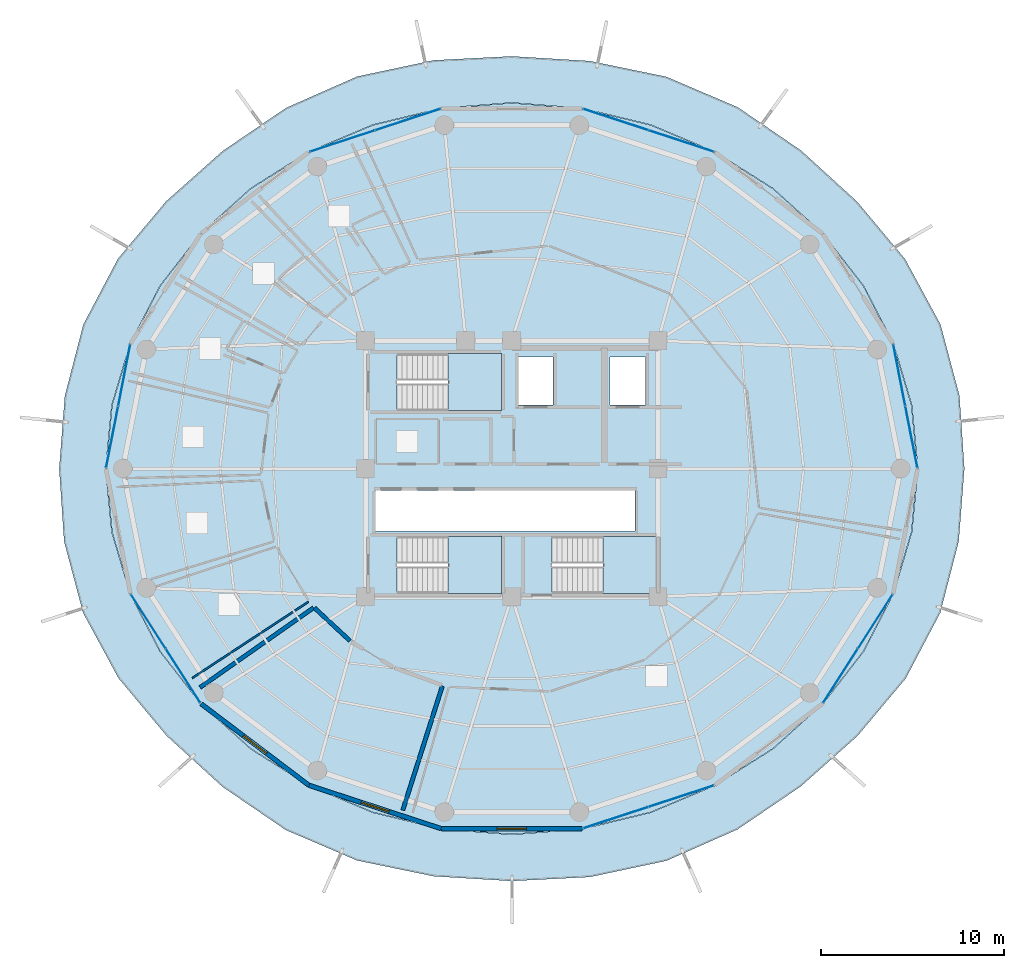
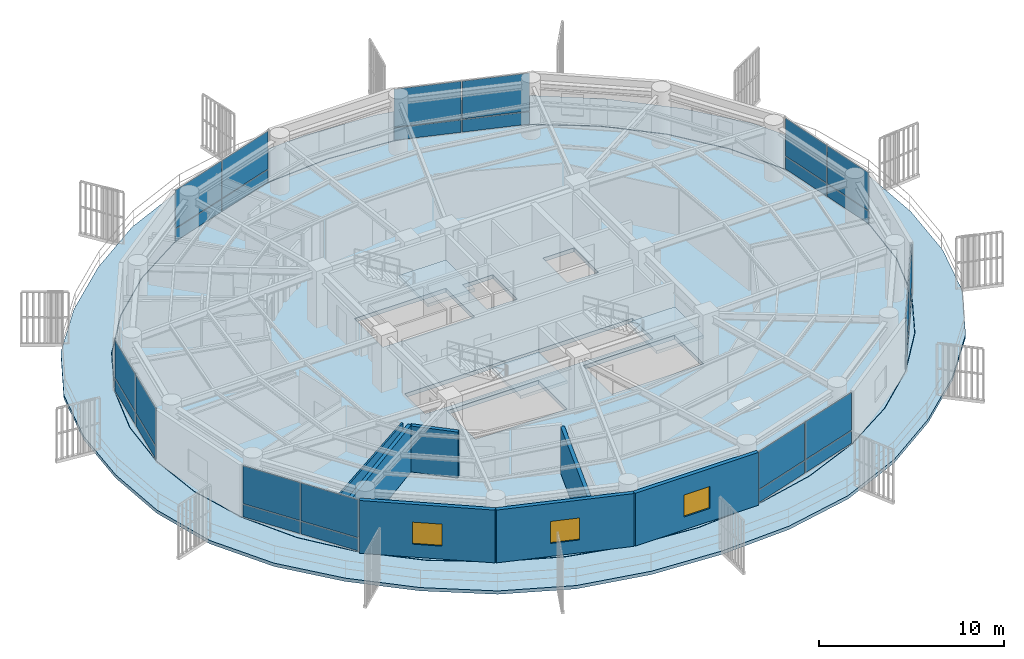
# One storey, part 23 of 31: 28 plates, 7 walls, 5 slabs, 3 windows, 3 openings, 10 elements without a shape of their own.
"""IFC4 building model written with IfcOpenShell, lengths in metres."""

import ifcopenshell
import ifcopenshell.guid

model = None  # the IFC model being written
_history = None  # IfcOwnerHistory: only IFC2X3 demands one
_inside = {}  # id of a spatial element -> (the spatial element, [elements in it])
_under = {}  # id of a project, library or spatial element -> (it, [spatial elements below it])
_declared = {}  # id of a project -> (the project, [libraries it declares])
_typed = {}  # id of a type object -> (the type object, [elements of that type])
_made_of = {}  # id of a material, layer set ... -> (it, [elements and type objects made of it])


def new_model(schema):
    """Start an empty IFC model of exactly this schema.

    Asked for "IFC4X3", IfcOpenShell would pick the latest addendum, in which some entities
    have other attributes; the version numbers below select the first issue.
    IFC2X3 requires an IfcOwnerHistory on every rooted entity: one is made here for all.
    """
    global model, _history
    if schema == "IFC4X3":
        model = ifcopenshell.file(schema_version=(4, 3, 0, 0))
    else:
        model = ifcopenshell.file(schema=schema)
    _inside.clear()
    _under.clear()
    _declared.clear()
    _typed.clear()
    _made_of.clear()
    _history = None
    if model.schema == "IFC2X3":
        org = make("IfcOrganization", Name="unknown")
        user = make(
            "IfcPersonAndOrganization",
            ThePerson=make("IfcPerson", FamilyName="unknown"),
            TheOrganization=org,
        )
        app = make(
            "IfcApplication",
            ApplicationDeveloper=org,
            Version="unknown",
            ApplicationFullName="unknown",
            ApplicationIdentifier="unknown",
        )
        _history = make(
            "IfcOwnerHistory",
            OwningUser=user,
            OwningApplication=app,
            ChangeAction="ADDED",
            CreationDate=0,
        )
    return model


def make(cls, **values):
    """One entity of the class cls with the attributes given. An attribute that is None is left unset."""
    return model.create_entity(
        cls, **{name: value for name, value in values.items() if value is not None}
    )


def rooted(cls, **values):
    """An entity with a GlobalId (a new one), such as an element, a storey or a relation."""
    return make(cls, GlobalId=ifcopenshell.guid.new(), OwnerHistory=_history, **values)


def si_unit(unit_type, name, prefix=None):
    """IfcSIUnit, for example si_unit("LENGTHUNIT", "METRE", prefix="MILLI")."""
    return make("IfcSIUnit", UnitType=unit_type, Prefix=prefix, Name=name)


def assignment(units):
    """IfcUnitAssignment: the units of a project."""
    return None if units is None else make("IfcUnitAssignment", Units=units)


def point(xyz):
    """IfcCartesianPoint."""
    return None if xyz is None else make("IfcCartesianPoint", Coordinates=xyz)


def direction(xyz):
    """IfcDirection."""
    return None if xyz is None else make("IfcDirection", DirectionRatios=xyz)


def frame(location, z_axis=None, x_axis=None):
    """IfcAxis2Placement3D, a coordinate frame: its origin and axes. An axis left out is left unset."""
    return make(
        "IfcAxis2Placement3D",
        Location=point(location),
        Axis=direction(z_axis),
        RefDirection=direction(x_axis),
    )


def frame_2d(location, x_axis=None):
    """IfcAxis2Placement2D, a coordinate frame in the plane: its origin and x axis."""
    return make(
        "IfcAxis2Placement2D", Location=point(location), RefDirection=direction(x_axis)
    )


def origin():
    """The frame at (0, 0, 0) with its axes left unset."""
    return frame((0.0, 0.0, 0.0))


def origin_2d():
    """The frame at (0, 0) in the plane with its x axis left unset."""
    return frame_2d((0.0, 0.0))


def place(relative_to, where):
    """IfcLocalPlacement: puts the frame where relative to a parent placement (None: the world)."""
    return make(
        "IfcLocalPlacement", PlacementRelTo=relative_to, RelativePlacement=where
    )


def context(
    kind, dimensions, precision=None, world=None, true_north=None, identifier=None
):
    """IfcGeometricRepresentationContext, for example the 3D "Model" context."""
    return make(
        "IfcGeometricRepresentationContext",
        ContextIdentifier=identifier,
        ContextType=kind,
        CoordinateSpaceDimension=dimensions,
        Precision=precision,
        WorldCoordinateSystem=world,
        TrueNorth=true_north,
    )


def subcontext(parent, identifier, kind, view, scale=None):
    """IfcGeometricRepresentationSubContext, for example "Body" below "Model"."""
    return make(
        "IfcGeometricRepresentationSubContext",
        ContextIdentifier=identifier,
        ContextType=kind,
        ParentContext=parent,
        TargetScale=scale,
        TargetView=view,
    )


def project(units=None, contexts=None):
    """IfcProject with its units and contexts."""
    return rooted(
        "IfcProject",
        Name="project",
        RepresentationContexts=contexts,
        UnitsInContext=assignment(units),
    )


def spatial(cls, under=None, at=None, **own):
    """A site, building, storey or space (cls), placed at a placement, below another one or the project."""
    s = rooted(cls, ObjectPlacement=at, **own)
    if under is not None:
        _under.setdefault(under.id(), (under, []))[1].append(s)
    return s


def polyline(points):
    """IfcPolyline through the points."""
    return make("IfcPolyline", Points=[point(p) for p in points])


def profile(cls, at=None, kind="AREA", **sizes):
    """A parametric profile (cls). Its sizes go by their IFC names, for example OverallWidth=200.0."""
    return make(cls, ProfileType=kind, Position=at, **sizes)


def rectangle(**sizes):
    """IfcRectangleProfileDef."""
    return profile("IfcRectangleProfileDef", **sizes)


def outline(outer, holes=None, kind="AREA"):
    """IfcArbitraryClosedProfileDef: a profile drawn as a closed curve; with holes, ...WithVoids."""
    if holes is None:
        return make("IfcArbitraryClosedProfileDef", ProfileType=kind, OuterCurve=outer)
    return make(
        "IfcArbitraryProfileDefWithVoids",
        ProfileType=kind,
        OuterCurve=outer,
        InnerCurves=holes,
    )


def extrude(swept, where, along, depth):
    """IfcExtrudedAreaSolid: the profile swept, set in the frame where, extruded along a direction by depth."""
    return make(
        "IfcExtrudedAreaSolid",
        SweptArea=swept,
        Position=where,
        ExtrudedDirection=direction(along),
        Depth=depth,
    )


def shape(context_of_items, identifier, shape_type, items):
    """IfcShapeRepresentation: the items that make up one representation, for example the "Body"."""
    return make(
        "IfcShapeRepresentation",
        ContextOfItems=context_of_items,
        RepresentationIdentifier=identifier,
        RepresentationType=shape_type,
        Items=items,
    )


def source(mapping_origin, context_of_items, identifier, shape_type, items):
    """IfcRepresentationMap: a shape defined once, which mapped items show again and again."""
    return make(
        "IfcRepresentationMap",
        MappingOrigin=mapping_origin,
        MappedRepresentation=shape(context_of_items, identifier, shape_type, items),
    )


def transform(
    local_origin,
    x_axis=None,
    y_axis=None,
    z_axis=None,
    scale=None,
    scale2=None,
    scale3=None,
    uniform=True,
):
    """IfcCartesianTransformationOperator3D, or its non-uniform kind. x_axis, y_axis, z_axis: its Axis1, 2, 3."""
    if uniform:
        return make(
            "IfcCartesianTransformationOperator3D",
            Axis1=direction(x_axis),
            Axis2=direction(y_axis),
            LocalOrigin=point(local_origin),
            Scale=scale,
            Axis3=direction(z_axis),
        )
    return make(
        "IfcCartesianTransformationOperator3DnonUniform",
        Axis1=direction(x_axis),
        Axis2=direction(y_axis),
        LocalOrigin=point(local_origin),
        Scale=scale,
        Axis3=direction(z_axis),
        Scale2=scale2,
        Scale3=scale3,
    )


def mapped(mapping_source, mapping_target):
    """IfcMappedItem: shows the shape of a source again, moved by a transform."""
    return make(
        "IfcMappedItem", MappingSource=mapping_source, MappingTarget=mapping_target
    )


def material(Name=None, Category=None):
    """IfcMaterial."""
    return make("IfcMaterial", Name=Name, Category=Category)


def layer(
    of_material, thickness, ventilated=None, Name=None, Category=None, Priority=None
):
    """IfcMaterialLayer: one layer of a wall or slab, of a material (None: an air gap)."""
    return make(
        "IfcMaterialLayer",
        Material=of_material,
        LayerThickness=thickness,
        IsVentilated=ventilated,
        Name=Name,
        Category=Category,
        Priority=Priority,
    )


def layer_set(layers, Name=None):
    """IfcMaterialLayerSet."""
    return make("IfcMaterialLayerSet", MaterialLayers=layers, LayerSetName=Name)


def made_of(thing, what):
    """Note that an element or type object is made of a material, layer set ...; save() writes the relation."""
    if what is not None:
        _made_of.setdefault(what.id(), (what, []))[1].append(thing)
    return thing


def type_object(cls, material=None, **own):
    """A type object (cls), such as IfcWallType, which elements share."""
    return made_of(rooted(cls, **own), material)


def element(
    cls,
    number,
    at=None,
    inside=None,
    cuts=None,
    type_object=None,
    material=None,
    context=None,
    identifier="Body",
    shape_type=None,
    held_by="IfcProductDefinitionShape",
    body=None,
    shapes=None,
    **own,
):
    """One element of the class cls, such as IfcWall. Its Tag is "e" and its number.

    at: its placement. inside: the storey or other place that contains it. cuts: it is an
    opening in that element (IfcRelVoidsElement). A single representation is given by context,
    identifier, shape_type and body (its items); several are given by shapes. held_by: the class
    of the entity that holds the representations. save() writes the other relations.
    """
    e = rooted(cls, Tag="e%d" % number, ObjectPlacement=at, **own)
    if body is not None:
        shapes = [shape(context, identifier, shape_type, body)]
    if shapes is not None:
        e.Representation = make(held_by, Representations=shapes)
    if inside is not None:
        _inside.setdefault(inside.id(), (inside, []))[1].append(e)
    if cuts is not None:
        rooted(
            "IfcRelVoidsElement", RelatingBuildingElement=cuts, RelatedOpeningElement=e
        )
    if type_object is not None:
        _typed.setdefault(type_object.id(), (type_object, []))[1].append(e)
    return made_of(e, material)


def fill(opening, filler):
    """IfcRelFillsElement: the door or window that sits in an opening."""
    return rooted(
        "IfcRelFillsElement",
        RelatingOpeningElement=opening,
        RelatedBuildingElement=filler,
    )


def aggregate(whole, parts):
    """IfcRelAggregates: a whole, such as a stair, and the parts it consists of."""
    return rooted("IfcRelAggregates", RelatingObject=whole, RelatedObjects=parts)


def save(model, path):
    """Write the relations noted so far, then the file.

    IfcRelAggregates (storeys below a building ...), IfcRelContainedInSpatialStructure (elements
    in a storey), IfcRelDefinesByType, IfcRelAssociatesMaterial and IfcRelDeclares: one each for
    every whole, place, type object, material and project.
    """
    for whole, parts in _under.values():
        aggregate(whole, parts)
    for where, things in _inside.values():
        rooted(
            "IfcRelContainedInSpatialStructure",
            RelatedElements=things,
            RelatingStructure=where,
        )
    for kind, things in _typed.values():
        rooted("IfcRelDefinesByType", RelatedObjects=things, RelatingType=kind)
    for what, things in _made_of.values():
        rooted("IfcRelAssociatesMaterial", RelatedObjects=things, RelatingMaterial=what)
    for by, libraries in _declared.values():
        rooted("IfcRelDeclares", RelatingContext=by, RelatedDefinitions=libraries)
    model.write(path)


model = new_model("IFC4")

# Units and contexts
model_context = context("Model", 3, precision=1e-05, world=origin(), true_north=direction((0.0, 1.0)))
body_context = subcontext(model_context, "Body", "Model", "MODEL_VIEW")
ifc_project = project(units=[si_unit("LENGTHUNIT", "METRE"), si_unit("AREAUNIT", "SQUARE_METRE"), si_unit("VOLUMEUNIT", "CUBIC_METRE"), si_unit("PLANEANGLEUNIT", "RADIAN"), si_unit("MASSUNIT", "GRAM", prefix="KILO")], contexts=[model_context])

# Site, building, storey
site_placement = place(None, origin())
site = spatial("IfcSite", under=ifc_project, at=site_placement, CompositionType="ELEMENT")
building_placement = place(site_placement, origin())
building = spatial("IfcBuilding", under=site, at=building_placement, Name="Kelanora Arch Commons", CompositionType="ELEMENT")
storey_placement = place(building_placement, frame((0.0, 0.0, 226.949951171875)))
storey = spatial("IfcBuildingStorey", under=building, at=storey_placement, Name="L58", CompositionType="ELEMENT", Elevation=226.949951171875)

# Stair, slab
ifc_material_1 = material(Name="Concrete C40/50", Category="concrete")
stair_type = type_object("IfcStairType", Name="STR-DL-375", PredefinedType="HALF_TURN_STAIR", material=ifc_material_1)
stair_1_placement = place(storey_placement, origin())
stair_1 = element("IfcStair", 1, at=stair_1_placement, inside=storey, type_object=stair_type, Name="L58 ST-T1", PredefinedType="HALF_TURN_STAIR")
ifc_layer_1 = layer(ifc_material_1, 0.199951171875)
ifc_layer_set_1 = layer_set([ifc_layer_1], Name="Concrete C40/50")
slab_type_1 = type_object("IfcSlabType", Name="SLB-STAIR-LND", PredefinedType="LANDING", material=ifc_layer_set_1)
slab_1_placement = place(storey_placement, frame((0.0, 0.0, 1.675048828125)))
slab_1 = element("IfcSlab", 2, at=slab_1_placement, type_object=slab_type_1, Name="ST-T1 landing 1", PredefinedType="LANDING", context=body_context, shape_type="SweptSolid", body=[
    extrude(outline(polyline([(70.52001953125, 61.179931640625), (73.43994140625, 61.179931640625), (73.43994140625, 64.2900390625), (70.52001953125, 64.2900390625), (70.52001953125, 61.179931640625)])), origin(), (0.0, 0.0, 1.0), 0.199951171875),
])
aggregate(stair_1, [slab_1])

stair_2_placement = place(storey_placement, origin())
stair_2 = element("IfcStair", 3, at=stair_2_placement, inside=storey, type_object=stair_type, Name="L58 ST-T2", PredefinedType="HALF_TURN_STAIR")
slab_2_placement = place(storey_placement, frame((0.0, 0.0, 1.675048828125)))
slab_2 = element("IfcSlab", 4, at=slab_2_placement, type_object=slab_type_1, Name="ST-T2 landing 1", PredefinedType="LANDING", context=body_context, shape_type="SweptSolid", body=[
    extrude(outline(polyline([(79.0, 51.179931640625), (81.919921875, 51.179931640625), (81.919921875, 54.2900390625), (79.0, 54.2900390625), (79.0, 51.179931640625)])), origin(), (0.0, 0.0, 1.0), 0.199951171875),
])
aggregate(stair_2, [slab_2])

stair_3_placement = place(storey_placement, origin())
stair_3 = element("IfcStair", 5, at=stair_3_placement, inside=storey, type_object=stair_type, Name="L58 ST-T3", PredefinedType="HALF_TURN_STAIR")
slab_3_placement = place(storey_placement, frame((0.0, 0.0, 1.675048828125)))
slab_3 = element("IfcSlab", 6, at=slab_3_placement, type_object=slab_type_1, Name="ST-T3 landing 1", PredefinedType="LANDING", context=body_context, shape_type="SweptSolid", body=[
    extrude(outline(polyline([(70.52001953125, 51.179931640625), (73.43994140625, 51.179931640625), (73.43994140625, 54.2900390625), (70.52001953125, 54.2900390625), (70.52001953125, 51.179931640625)])), origin(), (0.0, 0.0, 1.0), 0.199951171875),
])
aggregate(stair_3, [slab_3])

# Slabs
ifc_layer_2 = layer(ifc_material_1, 0.260009765625)
ifc_layer_set_2 = layer_set([ifc_layer_2], Name="Concrete C40/50")
slab_type_2 = type_object("IfcSlabType", Name="SLB-TWR-TYP", PredefinedType="FLOOR", material=ifc_layer_set_2)
slab_4_placement = place(storey_placement, frame((0.0, 0.0, -0.260009765625)))
element("IfcSlab", 7, at=slab_4_placement, inside=storey, type_object=slab_type_2, Name="Tower Floor Slab L58", PredefinedType="FLOOR", context=body_context, shape_type="SweptSolid", body=[
    extrude(outline(polyline([(96.199951171875, 58.0), (95.86279296875, 61.472900390625), (94.861083984375, 64.84033203125), (93.225830078125, 68.0), (91.006103515625, 70.855712890625), (88.27001953125, 73.32080078125), (85.10009765625, 75.320556640625), (81.5927734375, 76.7939453125), (77.85498046875, 77.6962890625), (74.0, 78.0), (70.14501953125, 77.6962890625), (66.4072265625, 76.7939453125), (62.89990234375, 75.320556640625), (59.72998046875, 73.32080078125), (56.993896484375, 70.855712890625), (54.774169921875, 68.0), (53.138916015625, 64.84033203125), (52.13720703125, 61.472900390625), (51.800048828125, 58.0), (52.13720703125, 54.527099609375), (53.138916015625, 51.15966796875), (54.774169921875, 48.0), (56.993896484375, 45.144287109375), (59.72998046875, 42.67919921875), (62.89990234375, 40.679443359375), (66.4072265625, 39.2060546875), (70.14501953125, 38.3037109375), (74.0, 38.0), (77.85498046875, 38.3037109375), (81.5927734375, 39.2060546875), (85.10009765625, 40.679443359375), (88.27001953125, 42.67919921875), (91.006103515625, 45.144287109375), (93.225830078125, 48.0), (94.861083984375, 51.15966796875), (95.86279296875, 54.527099609375), (96.199951171875, 58.0)]), holes=[polyline([(73.431884765625, 51.18798828125), (67.72802734375, 51.18798828125), (67.72802734375, 54.281982421875), (73.431884765625, 54.281982421875), (73.431884765625, 51.18798828125)]), polyline([(76.2080078125, 51.18798828125), (76.2080078125, 54.281982421875), (81.912109375, 54.281982421875), (81.912109375, 51.18798828125), (76.2080078125, 51.18798828125)]), polyline([(66.550048828125, 54.60009765625), (66.550048828125, 56.800048828125), (80.75, 56.800048828125), (80.75, 54.60009765625), (66.550048828125, 54.60009765625)]), polyline([(73.431884765625, 61.18798828125), (67.72802734375, 61.18798828125), (67.72802734375, 64.281982421875), (73.431884765625, 64.281982421875), (73.431884765625, 61.18798828125)]), polyline([(74.3798828125, 61.47998046875), (74.3798828125, 64.1201171875), (76.260009765625, 64.1201171875), (76.260009765625, 61.47998046875), (74.3798828125, 61.47998046875)]), polyline([(79.3798828125, 61.47998046875), (79.3798828125, 64.1201171875), (81.320068359375, 64.1201171875), (81.320068359375, 61.47998046875), (79.3798828125, 61.47998046875)])]), origin(), (0.0, 0.0, 1.0), 0.260009765625),
])
ifc_layer_3 = layer(ifc_material_1, 0.219970703125)
ifc_layer_set_3 = layer_set([ifc_layer_3], Name="Concrete C40/50")
slab_type_3 = type_object("IfcSlabType", Name="SLB-WAVE-BAL", PredefinedType="FLOOR", material=ifc_layer_set_3)
slab_5_placement = place(storey_placement, frame((0.0, 0.0, -0.219970703125)))
element("IfcSlab", 8, at=slab_5_placement, inside=storey, type_object=slab_type_3, Name="Sinusoidal Wave Balcony Slab L58", PredefinedType="FLOOR", context=body_context, shape_type="SweptSolid", body=[
    extrude(outline(polyline([(98.7587890625, 58.0), (98.489990234375, 61.9873046875), (97.452880859375, 65.887451171875), (95.514404296875, 69.466552734375), (92.88916015625, 72.609619140625), (89.837646484375, 75.39501953125), (86.370849609375, 77.763916015625), (82.45947265625, 79.436279296875), (78.2685546875, 80.299560546875), (74.0, 80.558837890625), (69.72509765625, 80.340087890625), (65.5361328125, 79.449951171875), (61.645751953125, 77.73193359375), (58.178466796875, 75.37353515625), (55.09130859375, 72.627685546875), (52.455322265625, 69.486083984375), (50.560302734375, 65.882080078125), (49.55029296875, 61.979248046875), (49.2412109375, 58.0), (49.510009765625, 54.0126953125), (50.547119140625, 50.112548828125), (52.485595703125, 46.533447265625), (55.11083984375, 43.390380859375), (58.162353515625, 40.60498046875), (61.629150390625, 38.236083984375), (65.54052734375, 36.563720703125), (69.7314453125, 35.700439453125), (74.0, 35.441162109375), (78.27490234375, 35.659912109375), (82.4638671875, 36.550048828125), (86.354248046875, 38.26806640625), (89.821533203125, 40.62646484375), (92.90869140625, 43.372314453125), (95.544677734375, 46.513916015625), (97.439697265625, 50.117919921875), (98.44970703125, 54.020751953125), (98.7587890625, 58.0)]), holes=[polyline([(95.88232421875, 54.523681640625), (94.8798828125, 51.15283203125), (93.2431640625, 47.989990234375), (91.021484375, 45.13134765625), (88.28271484375, 42.663818359375), (85.110107421875, 40.662109375), (81.599609375, 39.1875), (77.8583984375, 38.2841796875), (74.0, 37.97998046875), (70.1416015625, 38.2841796875), (66.400390625, 39.1875), (62.889892578125, 40.662109375), (59.71728515625, 42.663818359375), (56.978515625, 45.13134765625), (54.7568359375, 47.989990234375), (53.1201171875, 51.15283203125), (52.11767578125, 54.523681640625), (51.780029296875, 58.0), (52.11767578125, 61.476318359375), (53.1201171875, 64.84716796875), (54.7568359375, 68.010009765625), (56.978515625, 70.86865234375), (59.71728515625, 73.336181640625), (62.889892578125, 75.337890625), (66.400390625, 76.8125), (70.1416015625, 77.7158203125), (74.0, 78.02001953125), (77.8583984375, 77.7158203125), (81.599609375, 76.8125), (85.110107421875, 75.337890625), (88.28271484375, 73.336181640625), (91.021484375, 70.86865234375), (93.2431640625, 68.010009765625), (94.8798828125, 64.84716796875), (95.88232421875, 61.476318359375), (96.219970703125, 58.0), (95.88232421875, 54.523681640625)])]), origin(), (0.0, 0.0, 1.0), 0.219970703125),
])

# Curtain wall, plates
ifc_material_2 = material(Name="Terracotta ceramic-fritted low-E glass and aluminium", Category="masonry")
ifc_layer_4 = layer(ifc_material_2, 0.175048828125)
ifc_layer_set_4 = layer_set([ifc_layer_4], Name="Terracotta ceramic-fritted low-E glass and aluminium")
curtain_wall_type = type_object("IfcCurtainWallType", Name="CW-SYS-02", PredefinedType="NOTDEFINED", material=ifc_layer_set_4)
curtain_wall_1_placement = place(storey_placement, origin())
curtain_wall_1 = element("IfcCurtainWall", 9, at=curtain_wall_1_placement, inside=storey, type_object=curtain_wall_type, Name="Unitised Curtain Wall L58-B00", PredefinedType="NOTDEFINED")
ifc_material_3 = material(Name="Terracotta ceramic-fritted double glazing", Category="masonry")
ifc_layer_5 = layer(ifc_material_3, 0.028076171875)
ifc_layer_set_5 = layer_set([ifc_layer_5], Name="Terracotta ceramic-fritted double glazing")
plate_type = type_object("IfcPlateType", Name="CWP-FRIT", PredefinedType="CURTAIN_PANEL", material=ifc_layer_set_5)
shared_shape_1 = source(origin(), body_context, "Body", "SweptSolid", [
    extrude(rectangle(XDim=3.380126953125, YDim=0.028076171875, at=origin_2d()), origin(), (0.0, 0.0, 1.0), 0.81005859375),
])
plate_1_placement = place(storey_placement, frame((95.861083984375, 59.732177734375, 0.06005859375), z_axis=(0.0, 0.0, 1.0), x_axis=(-0.192068926335, 0.981381438349, 0.0)))
plate_1 = element("IfcPlate", 10, at=plate_1_placement, type_object=plate_type, Name="CW-02 panel 1.1", PredefinedType="CURTAIN_PANEL", context=body_context, shape_type="MappedRepresentation", body=[
    mapped(shared_shape_1, transform((0.0, 0.0, 0.0), scale=1.0)),
])
plate_2_placement = place(storey_placement, frame((95.2001953125, 63.108154296875, 0.06005859375), z_axis=(0.0, 0.0, 1.0), x_axis=(-0.192068926335, 0.981381438349, 0.0)))
plate_2 = element("IfcPlate", 11, at=plate_2_placement, type_object=plate_type, Name="CW-02 panel 2.1", PredefinedType="CURTAIN_PANEL", context=body_context, shape_type="MappedRepresentation", body=[
    mapped(shared_shape_1, transform((0.0, 0.0, 0.0), scale=1.0)),
])

curtain_wall_2_placement = place(storey_placement, origin())
curtain_wall_2 = element("IfcCurtainWall", 12, at=curtain_wall_2_placement, inside=storey, type_object=curtain_wall_type, Name="Unitised Curtain Wall L58-B08", PredefinedType="NOTDEFINED")
plate_3_placement = place(storey_placement, frame((52.7998046875, 63.108154296875, 0.06005859375), z_axis=(0.0, 0.0, 1.0), x_axis=(-0.192068926335, -0.981381438349, 0.0)))
plate_3 = element("IfcPlate", 13, at=plate_3_placement, type_object=plate_type, Name="CW-02 panel 1.1", PredefinedType="CURTAIN_PANEL", context=body_context, shape_type="MappedRepresentation", body=[
    mapped(shared_shape_1, transform((0.0, 0.0, 0.0), scale=1.0)),
])
plate_4_placement = place(storey_placement, frame((52.138916015625, 59.732177734375, 0.06005859375), z_axis=(0.0, 0.0, 1.0), x_axis=(-0.192068926335, -0.981381438349, 0.0)))
plate_4 = element("IfcPlate", 14, at=plate_4_placement, type_object=plate_type, Name="CW-02 panel 2.1", PredefinedType="CURTAIN_PANEL", context=body_context, shape_type="MappedRepresentation", body=[
    mapped(shared_shape_1, transform((0.0, 0.0, 0.0), scale=1.0)),
])

# Plate
shared_shape_2 = source(origin(), body_context, "Body", "SweptSolid", [
    extrude(rectangle(XDim=3.380126953125, YDim=0.028076171875, at=origin_2d()), origin(), (0.0, 0.0, 1.0), 2.485107421875),
])
plate_5_placement = place(storey_placement, frame((95.861083984375, 59.732177734375, 0.93017578125), z_axis=(0.0, 0.0, 1.0), x_axis=(-0.192068926335, 0.981381438349, 0.0)))
plate_5 = element("IfcPlate", 15, at=plate_5_placement, type_object=plate_type, Name="CW-02 panel 1.2", PredefinedType="CURTAIN_PANEL", context=body_context, shape_type="MappedRepresentation", body=[
    mapped(shared_shape_2, transform((0.0, 0.0, 0.0), scale=1.0)),
])

plate_6_placement = place(storey_placement, frame((95.2001953125, 63.108154296875, 0.93017578125), z_axis=(0.0, 0.0, 1.0), x_axis=(-0.192068926335, 0.981381438349, 0.0)))
plate_6 = element("IfcPlate", 16, at=plate_6_placement, type_object=plate_type, Name="CW-02 panel 2.2", PredefinedType="CURTAIN_PANEL", context=body_context, shape_type="MappedRepresentation", body=[
    mapped(shared_shape_2, transform((0.0, 0.0, 0.0), scale=1.0)),
])

aggregate(curtain_wall_1, [plate_1, plate_5, plate_2, plate_6])

plate_7_placement = place(storey_placement, frame((52.7998046875, 63.108154296875, 0.93017578125), z_axis=(0.0, 0.0, 1.0), x_axis=(-0.192068926335, -0.981381438349, 0.0)))
plate_7 = element("IfcPlate", 17, at=plate_7_placement, type_object=plate_type, Name="CW-02 panel 1.2", PredefinedType="CURTAIN_PANEL", context=body_context, shape_type="MappedRepresentation", body=[
    mapped(shared_shape_2, transform((0.0, 0.0, 0.0), scale=1.0)),
])

plate_8_placement = place(storey_placement, frame((52.138916015625, 59.732177734375, 0.93017578125), z_axis=(0.0, 0.0, 1.0), x_axis=(-0.192068926335, -0.981381438349, 0.0)))
plate_8 = element("IfcPlate", 18, at=plate_8_placement, type_object=plate_type, Name="CW-02 panel 2.2", PredefinedType="CURTAIN_PANEL", context=body_context, shape_type="MappedRepresentation", body=[
    mapped(shared_shape_2, transform((0.0, 0.0, 0.0), scale=1.0)),
])

aggregate(curtain_wall_2, [plate_3, plate_7, plate_4, plate_8])

# Curtain wall, plates
curtain_wall_3_placement = place(storey_placement, origin())
curtain_wall_3 = element("IfcCurtainWall", 19, at=curtain_wall_3_placement, inside=storey, type_object=curtain_wall_type, Name="Unitised Curtain Wall L58-B03", PredefinedType="NOTDEFINED")
shared_shape_3 = source(origin(), body_context, "Body", "SweptSolid", [
    extrude(rectangle(XDim=3.707275390625, YDim=0.028076171875, at=origin_2d()), origin(), (0.0, 0.0, 1.0), 0.81005859375),
])
plate_9_placement = place(storey_placement, frame((83.267333984375, 75.92138671875, 0.06005859375), z_axis=(0.0, 0.0, 1.0), x_axis=(-0.950219124029, 0.311582439059, 0.0)))
plate_9 = element("IfcPlate", 20, at=plate_9_placement, type_object=plate_type, Name="CW-02 panel 1.1", PredefinedType="CURTAIN_PANEL", context=body_context, shape_type="MappedRepresentation", body=[
    mapped(shared_shape_3, transform((0.0, 0.0, 0.0), scale=1.0)),
])
plate_10_placement = place(storey_placement, frame((79.687744140625, 77.09521484375, 0.06005859375), z_axis=(0.0, 0.0, 1.0), x_axis=(-0.950219124029, 0.311582439059, 0.0)))
plate_10 = element("IfcPlate", 21, at=plate_10_placement, type_object=plate_type, Name="CW-02 panel 2.1", PredefinedType="CURTAIN_PANEL", context=body_context, shape_type="MappedRepresentation", body=[
    mapped(shared_shape_3, transform((0.0, 0.0, 0.0), scale=1.0)),
])

curtain_wall_4_placement = place(storey_placement, origin())
curtain_wall_4 = element("IfcCurtainWall", 22, at=curtain_wall_4_placement, inside=storey, type_object=curtain_wall_type, Name="Unitised Curtain Wall L58-B05", PredefinedType="NOTDEFINED")
plate_11_placement = place(storey_placement, frame((68.312255859375, 77.09521484375, 0.06005859375), z_axis=(0.0, 0.0, 1.0), x_axis=(-0.950219124029, -0.311582439059, 0.0)))
plate_11 = element("IfcPlate", 23, at=plate_11_placement, type_object=plate_type, Name="CW-02 panel 1.1", PredefinedType="CURTAIN_PANEL", context=body_context, shape_type="MappedRepresentation", body=[
    mapped(shared_shape_3, transform((0.0, 0.0, 0.0), scale=1.0)),
])
plate_12_placement = place(storey_placement, frame((64.732666015625, 75.92138671875, 0.06005859375), z_axis=(0.0, 0.0, 1.0), x_axis=(-0.950219124029, -0.311582439059, 0.0)))
plate_12 = element("IfcPlate", 24, at=plate_12_placement, type_object=plate_type, Name="CW-02 panel 2.1", PredefinedType="CURTAIN_PANEL", context=body_context, shape_type="MappedRepresentation", body=[
    mapped(shared_shape_3, transform((0.0, 0.0, 0.0), scale=1.0)),
])

curtain_wall_5_placement = place(storey_placement, origin())
curtain_wall_5 = element("IfcCurtainWall", 25, at=curtain_wall_5_placement, inside=storey, type_object=curtain_wall_type, Name="Unitised Curtain Wall L58-B14", PredefinedType="NOTDEFINED")
plate_13_placement = place(storey_placement, frame((79.687744140625, 38.90478515625, 0.06005859375), z_axis=(0.0, 0.0, 1.0), x_axis=(0.950219124029, 0.311582439059, 0.0)))
plate_13 = element("IfcPlate", 26, at=plate_13_placement, type_object=plate_type, Name="CW-02 panel 1.1", PredefinedType="CURTAIN_PANEL", context=body_context, shape_type="MappedRepresentation", body=[
    mapped(shared_shape_3, transform((0.0, 0.0, 0.0), scale=1.0)),
])
plate_14_placement = place(storey_placement, frame((83.267333984375, 40.07861328125, 0.06005859375), z_axis=(0.0, 0.0, 1.0), x_axis=(0.950219124029, 0.311582439059, 0.0)))
plate_14 = element("IfcPlate", 27, at=plate_14_placement, type_object=plate_type, Name="CW-02 panel 2.1", PredefinedType="CURTAIN_PANEL", context=body_context, shape_type="MappedRepresentation", body=[
    mapped(shared_shape_3, transform((0.0, 0.0, 0.0), scale=1.0)),
])

# Plate
shared_shape_4 = source(origin(), body_context, "Body", "SweptSolid", [
    extrude(rectangle(XDim=3.707275390625, YDim=0.028076171875, at=origin_2d()), origin(), (0.0, 0.0, 1.0), 2.485107421875),
])
plate_15_placement = place(storey_placement, frame((83.267333984375, 75.92138671875, 0.93017578125), z_axis=(0.0, 0.0, 1.0), x_axis=(-0.950219124029, 0.311582439059, 0.0)))
plate_15 = element("IfcPlate", 28, at=plate_15_placement, type_object=plate_type, Name="CW-02 panel 1.2", PredefinedType="CURTAIN_PANEL", context=body_context, shape_type="MappedRepresentation", body=[
    mapped(shared_shape_4, transform((0.0, 0.0, 0.0), scale=1.0)),
])

plate_16_placement = place(storey_placement, frame((79.687744140625, 77.09521484375, 0.93017578125), z_axis=(0.0, 0.0, 1.0), x_axis=(-0.950219124029, 0.311582439059, 0.0)))
plate_16 = element("IfcPlate", 29, at=plate_16_placement, type_object=plate_type, Name="CW-02 panel 2.2", PredefinedType="CURTAIN_PANEL", context=body_context, shape_type="MappedRepresentation", body=[
    mapped(shared_shape_4, transform((0.0, 0.0, 0.0), scale=1.0)),
])

aggregate(curtain_wall_3, [plate_9, plate_15, plate_10, plate_16])

plate_17_placement = place(storey_placement, frame((68.312255859375, 77.09521484375, 0.93017578125), z_axis=(0.0, 0.0, 1.0), x_axis=(-0.950219124029, -0.311582439059, 0.0)))
plate_17 = element("IfcPlate", 30, at=plate_17_placement, type_object=plate_type, Name="CW-02 panel 1.2", PredefinedType="CURTAIN_PANEL", context=body_context, shape_type="MappedRepresentation", body=[
    mapped(shared_shape_4, transform((0.0, 0.0, 0.0), scale=1.0)),
])

plate_18_placement = place(storey_placement, frame((64.732666015625, 75.92138671875, 0.93017578125), z_axis=(0.0, 0.0, 1.0), x_axis=(-0.950219124029, -0.311582439059, 0.0)))
plate_18 = element("IfcPlate", 31, at=plate_18_placement, type_object=plate_type, Name="CW-02 panel 2.2", PredefinedType="CURTAIN_PANEL", context=body_context, shape_type="MappedRepresentation", body=[
    mapped(shared_shape_4, transform((0.0, 0.0, 0.0), scale=1.0)),
])

aggregate(curtain_wall_4, [plate_11, plate_17, plate_12, plate_18])

plate_19_placement = place(storey_placement, frame((79.687744140625, 38.90478515625, 0.93017578125), z_axis=(0.0, 0.0, 1.0), x_axis=(0.950219124029, 0.311582439059, 0.0)))
plate_19 = element("IfcPlate", 32, at=plate_19_placement, type_object=plate_type, Name="CW-02 panel 1.2", PredefinedType="CURTAIN_PANEL", context=body_context, shape_type="MappedRepresentation", body=[
    mapped(shared_shape_4, transform((0.0, 0.0, 0.0), scale=1.0)),
])

plate_20_placement = place(storey_placement, frame((83.267333984375, 40.07861328125, 0.93017578125), z_axis=(0.0, 0.0, 1.0), x_axis=(0.950219124029, 0.311582439059, 0.0)))
plate_20 = element("IfcPlate", 33, at=plate_20_placement, type_object=plate_type, Name="CW-02 panel 2.2", PredefinedType="CURTAIN_PANEL", context=body_context, shape_type="MappedRepresentation", body=[
    mapped(shared_shape_4, transform((0.0, 0.0, 0.0), scale=1.0)),
])

aggregate(curtain_wall_5, [plate_13, plate_19, plate_14, plate_20])

# Curtain wall, plates
curtain_wall_6_placement = place(storey_placement, origin())
curtain_wall_6 = element("IfcCurtainWall", 34, at=curtain_wall_6_placement, inside=storey, type_object=curtain_wall_type, Name="Unitised Curtain Wall L58-B10", PredefinedType="NOTDEFINED")
shared_shape_5 = source(origin(), body_context, "Body", "SweptSolid", [
    extrude(rectangle(XDim=3.46728515625, YDim=0.028076171875, at=origin_2d()), origin(), (0.0, 0.0, 1.0), 0.81005859375),
])
plate_21_placement = place(storey_placement, frame((54.11474609375, 49.63671875, 0.06005859375), z_axis=(0.0, 0.0, 1.0), x_axis=(0.539559338994, -0.84194757539, 0.0)))
plate_21 = element("IfcPlate", 35, at=plate_21_placement, type_object=plate_type, Name="CW-02 panel 1.1", PredefinedType="CURTAIN_PANEL", context=body_context, shape_type="MappedRepresentation", body=[
    mapped(shared_shape_5, transform((0.0, 0.0, 0.0), scale=1.0)),
])
plate_22_placement = place(storey_placement, frame((56.017822265625, 46.6669921875, 0.06005859375), z_axis=(0.0, 0.0, 1.0), x_axis=(0.539559338994, -0.84194757539, 0.0)))
plate_22 = element("IfcPlate", 36, at=plate_22_placement, type_object=plate_type, Name="CW-02 panel 2.1", PredefinedType="CURTAIN_PANEL", context=body_context, shape_type="MappedRepresentation", body=[
    mapped(shared_shape_5, transform((0.0, 0.0, 0.0), scale=1.0)),
])

curtain_wall_7_placement = place(storey_placement, origin())
curtain_wall_7 = element("IfcCurtainWall", 37, at=curtain_wall_7_placement, inside=storey, type_object=curtain_wall_type, Name="Unitised Curtain Wall L58-B16", PredefinedType="NOTDEFINED")
plate_23_placement = place(storey_placement, frame((91.982177734375, 46.6669921875, 0.06005859375), z_axis=(0.0, 0.0, 1.0), x_axis=(0.539559338994, 0.84194757539, 0.0)))
plate_23 = element("IfcPlate", 38, at=plate_23_placement, type_object=plate_type, Name="CW-02 panel 1.1", PredefinedType="CURTAIN_PANEL", context=body_context, shape_type="MappedRepresentation", body=[
    mapped(shared_shape_5, transform((0.0, 0.0, 0.0), scale=1.0)),
])
plate_24_placement = place(storey_placement, frame((93.88525390625, 49.63671875, 0.06005859375), z_axis=(0.0, 0.0, 1.0), x_axis=(0.539559338994, 0.84194757539, 0.0)))
plate_24 = element("IfcPlate", 39, at=plate_24_placement, type_object=plate_type, Name="CW-02 panel 2.1", PredefinedType="CURTAIN_PANEL", context=body_context, shape_type="MappedRepresentation", body=[
    mapped(shared_shape_5, transform((0.0, 0.0, 0.0), scale=1.0)),
])

# Plate
shared_shape_6 = source(origin(), body_context, "Body", "SweptSolid", [
    extrude(rectangle(XDim=3.46728515625, YDim=0.028076171875, at=origin_2d()), origin(), (0.0, 0.0, 1.0), 2.485107421875),
])
plate_25_placement = place(storey_placement, frame((54.11474609375, 49.63671875, 0.93017578125), z_axis=(0.0, 0.0, 1.0), x_axis=(0.539559338994, -0.84194757539, 0.0)))
plate_25 = element("IfcPlate", 40, at=plate_25_placement, type_object=plate_type, Name="CW-02 panel 1.2", PredefinedType="CURTAIN_PANEL", context=body_context, shape_type="MappedRepresentation", body=[
    mapped(shared_shape_6, transform((0.0, 0.0, 0.0), scale=1.0)),
])

plate_26_placement = place(storey_placement, frame((56.017822265625, 46.6669921875, 0.93017578125), z_axis=(0.0, 0.0, 1.0), x_axis=(0.539559338994, -0.84194757539, 0.0)))
plate_26 = element("IfcPlate", 41, at=plate_26_placement, type_object=plate_type, Name="CW-02 panel 2.2", PredefinedType="CURTAIN_PANEL", context=body_context, shape_type="MappedRepresentation", body=[
    mapped(shared_shape_6, transform((0.0, 0.0, 0.0), scale=1.0)),
])

aggregate(curtain_wall_6, [plate_21, plate_25, plate_22, plate_26])

plate_27_placement = place(storey_placement, frame((91.982177734375, 46.6669921875, 0.93017578125), z_axis=(0.0, 0.0, 1.0), x_axis=(0.539559338994, 0.84194757539, 0.0)))
plate_27 = element("IfcPlate", 42, at=plate_27_placement, type_object=plate_type, Name="CW-02 panel 1.2", PredefinedType="CURTAIN_PANEL", context=body_context, shape_type="MappedRepresentation", body=[
    mapped(shared_shape_6, transform((0.0, 0.0, 0.0), scale=1.0)),
])

plate_28_placement = place(storey_placement, frame((93.88525390625, 49.63671875, 0.93017578125), z_axis=(0.0, 0.0, 1.0), x_axis=(0.539559338994, 0.84194757539, 0.0)))
plate_28 = element("IfcPlate", 43, at=plate_28_placement, type_object=plate_type, Name="CW-02 panel 2.2", PredefinedType="CURTAIN_PANEL", context=body_context, shape_type="MappedRepresentation", body=[
    mapped(shared_shape_6, transform((0.0, 0.0, 0.0), scale=1.0)),
])

aggregate(curtain_wall_7, [plate_23, plate_27, plate_24, plate_28])

# Wall, opening, window
ifc_material_4 = material(Name="Precast concrete C40/50 upper-zone terracotta rainscreen", Category="masonry")
ifc_layer_6 = layer(ifc_material_4, 0.239990234375)
ifc_layer_set_6 = layer_set([ifc_layer_6], Name="Precast concrete C40/50 upper-zone terracotta rainscreen")
wall_type_1 = type_object("IfcWallType", Name="W-EXT-TC2", PredefinedType="SOLIDWALL", material=ifc_layer_set_6)
wall_1_placement = place(storey_placement, frame((57.005859375, 45.13525390625, 0.0), z_axis=(0.0, 0.0, 1.0), x_axis=(0.797701674595, -0.603052268338, 0.0)))
wall_1 = element("IfcWall", 44, at=wall_1_placement, inside=storey, type_object=wall_type_1, Name="Terracotta Exterior Wall L58-B11", PredefinedType="SOLIDWALL", context=body_context, shape_type="SweptSolid", body=[
    extrude(rectangle(XDim=7.373779296875, YDim=0.239990234375, at=frame_2d((3.68701171875, 0.0))), origin(), (0.0, 0.0, 1.0), 3.47509765625),
])
opening_1_placement = place(wall_1_placement, frame((2.886962890625, 0.0, 0.85009765625)))
opening_1 = element("IfcOpeningElement", 45, at=opening_1_placement, cuts=wall_1, Name="Opening WN-01", PredefinedType="OPENING", context=body_context, shape_type="SweptSolid", body=[
    extrude(rectangle(XDim=1.60009765625, YDim=1.449951171875, at=frame_2d((0.800048828125, 0.72509765625))), frame((0.0, 0.1298828125, 0.0), z_axis=(0.0, -1.0, 0.0), x_axis=(1.0, 0.0, 0.0)), (0.0, 0.0, 1.0), 0.260009765625),
])
ifc_material_5 = material(Name="Terracotta-anodised aluminium frame with operable low-E glazing", Category="masonry")
window_type = type_object("IfcWindowType", Name="WIN-CL-18", PartitioningType="DOUBLE_PANEL_VERTICAL", PredefinedType="WINDOW", material=ifc_material_5)
window_1_placement = place(opening_1_placement, origin())
window_1 = element("IfcWindow", 46, at=window_1_placement, inside=storey, type_object=window_type, Name="Co-Living Operable Window L58-B11", OverallHeight=1.449951171875, OverallWidth=1.60009765625, PartitioningType="SINGLE_PANEL", PredefinedType="WINDOW", context=body_context, shape_type="SweptSolid", body=[
    extrude(rectangle(XDim=1.60009765625, YDim=1.449951171875, at=frame_2d((0.800048828125, 0.72509765625))), frame((0.0, 0.030029296875, 0.0), z_axis=(0.0, -1.0, 0.0), x_axis=(1.0, 0.0, 0.0)), (0.0, 0.0, 1.0), 0.06005859375),
])
fill(opening_1, window_1)

wall_2_placement = place(storey_placement, frame((62.914306640625, 40.6748046875, 0.0), z_axis=(0.0, 0.0, 1.0), x_axis=(0.95022142767, -0.31157541366, 0.0)))
wall_2 = element("IfcWall", 47, at=wall_2_placement, inside=storey, type_object=wall_type_1, Name="Terracotta Exterior Wall L58-B12", PredefinedType="SOLIDWALL", context=body_context, shape_type="SweptSolid", body=[
    extrude(rectangle(XDim=7.59423828125, YDim=0.239990234375, at=frame_2d((3.797119140625, 0.0))), origin(), (0.0, 0.0, 1.0), 3.47509765625),
])
opening_2_placement = place(wall_2_placement, frame((2.9970703125, 0.0, 0.85009765625)))
opening_2 = element("IfcOpeningElement", 48, at=opening_2_placement, cuts=wall_2, Name="Opening WN-01", PredefinedType="OPENING", context=body_context, shape_type="SweptSolid", body=[
    extrude(rectangle(XDim=1.60009765625, YDim=1.449951171875, at=frame_2d((0.800048828125, 0.72509765625))), frame((0.0, 0.1298828125, 0.0), z_axis=(0.0, -1.0, 0.0), x_axis=(1.0, 0.0, 0.0)), (0.0, 0.0, 1.0), 0.260009765625),
])
window_2_placement = place(opening_2_placement, origin())
window_2 = element("IfcWindow", 49, at=window_2_placement, inside=storey, type_object=window_type, Name="Co-Living Operable Window L58-B12", OverallHeight=1.449951171875, OverallWidth=1.60009765625, PartitioningType="SINGLE_PANEL", PredefinedType="WINDOW", context=body_context, shape_type="SweptSolid", body=[
    extrude(rectangle(XDim=1.60009765625, YDim=1.449951171875, at=frame_2d((0.800048828125, 0.72509765625))), frame((0.0, 0.030029296875, 0.0), z_axis=(0.0, -1.0, 0.0), x_axis=(1.0, 0.0, 0.0)), (0.0, 0.0, 1.0), 0.06005859375),
])
fill(opening_2, window_2)

wall_3_placement = place(storey_placement, frame((70.159912109375, 38.3037109375, 0.0), z_axis=(0.0, 0.0, 1.0), x_axis=(1.0, 0.0, 0.0)))
wall_3 = element("IfcWall", 50, at=wall_3_placement, inside=storey, type_object=wall_type_1, Name="Terracotta Exterior Wall L58-B13", PredefinedType="SOLIDWALL", context=body_context, shape_type="SweptSolid", body=[
    extrude(rectangle(XDim=7.68017578125, YDim=0.239990234375, at=frame_2d((3.840087890625, 0.0))), origin(), (0.0, 0.0, 1.0), 3.47509765625),
])
opening_3_placement = place(wall_3_placement, frame((3.0400390625, 0.0, 0.85009765625)))
opening_3 = element("IfcOpeningElement", 51, at=opening_3_placement, cuts=wall_3, Name="Opening WN-01", PredefinedType="OPENING", context=body_context, shape_type="SweptSolid", body=[
    extrude(rectangle(XDim=1.60009765625, YDim=1.449951171875, at=frame_2d((0.800048828125, 0.72509765625))), frame((0.0, 0.1298828125, 0.0), z_axis=(0.0, -1.0, 0.0), x_axis=(1.0, 0.0, 0.0)), (0.0, 0.0, 1.0), 0.260009765625),
])
window_3_placement = place(opening_3_placement, origin())
window_3 = element("IfcWindow", 52, at=window_3_placement, inside=storey, type_object=window_type, Name="Co-Living Operable Window L58-B13", OverallHeight=1.449951171875, OverallWidth=1.60009765625, PartitioningType="SINGLE_PANEL", PredefinedType="WINDOW", context=body_context, shape_type="SweptSolid", body=[
    extrude(rectangle(XDim=1.60009765625, YDim=1.449951171875, at=frame_2d((0.800048828125, 0.72509765625))), frame((0.0, 0.030029296875, 0.0), z_axis=(0.0, -1.0, 0.0), x_axis=(1.0, 0.0, 0.0)), (0.0, 0.0, 1.0), 0.06005859375),
])
fill(opening_3, window_3)

# Walls
ifc_material_6 = material(Name="Lightweight fire-rated acoustic stud partition")
ifc_layer_7 = layer(ifc_material_6, 0.10009765625)
ifc_layer_set_7 = layer_set([ifc_layer_7], Name="Lightweight fire-rated acoustic stud partition")
wall_type_2 = type_object("IfcWallType", Name="W-PART-100", PredefinedType="PARTITIONING", material=ifc_layer_set_7)
wall_4_placement = place(storey_placement, frame((62.87255859375, 50.713134765625, 0.0), z_axis=(0.0, 0.0, 1.0), x_axis=(-0.836172653235, -0.548466310708, 0.0)))
element("IfcWall", 53, at=wall_4_placement, inside=storey, type_object=wall_type_2, Name="Quiet Seminar Study Room L58-06 Enclosure Partition 2", PredefinedType="PARTITIONING", context=body_context, shape_type="SweptSolid", body=[
    extrude(rectangle(XDim=7.6015625, YDim=0.10009765625, at=frame_2d((3.80078125, 0.0))), origin(), (0.0, 0.0, 1.0), 3.074951171875),
])
ifc_layer_8 = layer(ifc_material_1, 0.219970703125)
ifc_layer_set_8 = layer_set([ifc_layer_8], Name="Concrete C40/50")
wall_type_3 = type_object("IfcWallType", Name="W-REF-200", PredefinedType="SOLIDWALL", material=ifc_layer_set_8)
wall_5_placement = place(storey_placement, frame((63.210205078125, 50.3818359375, 0.0), z_axis=(0.0, 0.0, 1.0), x_axis=(0.732365628242, -0.680911584987, 0.0)))
element("IfcWall", 54, at=wall_5_placement, inside=storey, type_object=wall_type_3, Name="Two-Hour Fire Refuge Holding Room L58 Enclosure Partition 1", PredefinedType="SOLIDWALL", context=body_context, shape_type="SweptSolid", body=[
    extrude(rectangle(XDim=2.642822265625, YDim=0.219970703125, at=frame_2d((1.3212890625, 0.0))), origin(), (0.0, 0.0, 1.0), 3.025146484375),
])
wall_6_placement = place(storey_placement, frame((70.202880859375, 46.10986328125, 0.0), z_axis=(0.0, 0.0, 1.0), x_axis=(-0.303726261943, -0.952759338871, 0.0)))
element("IfcWall", 55, at=wall_6_placement, inside=storey, type_object=wall_type_3, Name="Two-Hour Fire Refuge Holding Room L58 Enclosure Partition 4", PredefinedType="SOLIDWALL", context=body_context, shape_type="SweptSolid", body=[
    extrude(rectangle(XDim=7.1337890625, YDim=0.219970703125, at=frame_2d((3.56689453125, 0.0))), origin(), (0.0, 0.0, 1.0), 3.074951171875),
])
wall_7_placement = place(storey_placement, frame((56.94873046875, 46.030029296875, 0.0), z_axis=(0.0, 0.0, 1.0), x_axis=(0.818217914941, 0.574908204559, 0.0)))
element("IfcWall", 56, at=wall_7_placement, inside=storey, type_object=wall_type_3, Name="Two-Hour Fire Refuge Holding Room L58 Enclosure Partition 8", PredefinedType="SOLIDWALL", context=body_context, shape_type="SweptSolid", body=[
    extrude(rectangle(XDim=7.576904296875, YDim=0.219970703125, at=frame_2d((3.78857421875, 0.0))), origin(), (0.0, 0.0, 1.0), 3.074951171875),
])

save(model, "model.ifc")
